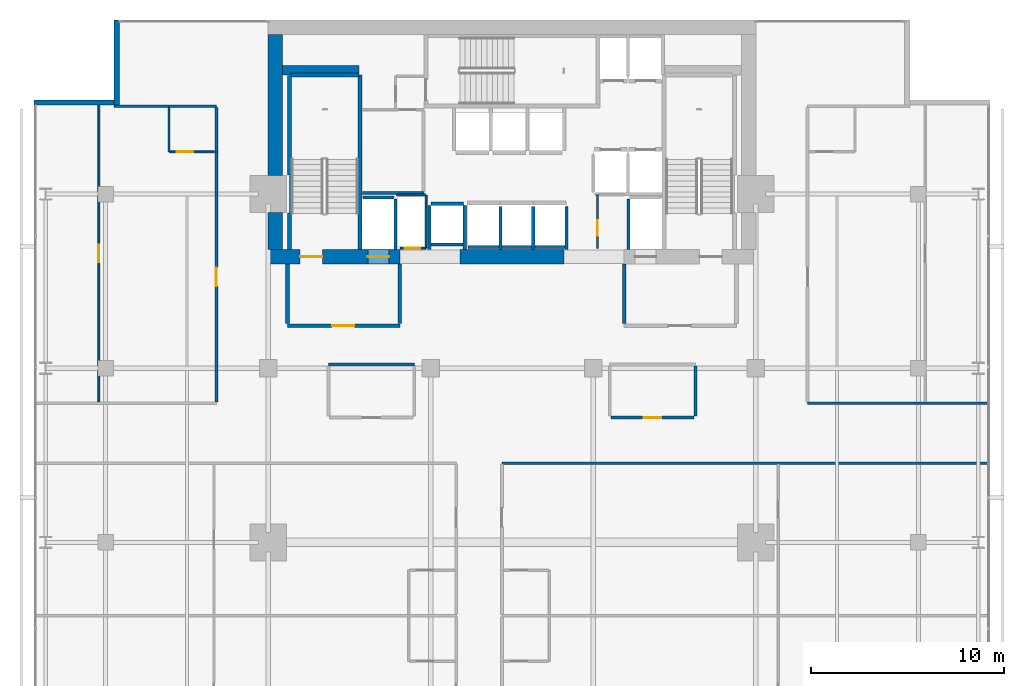
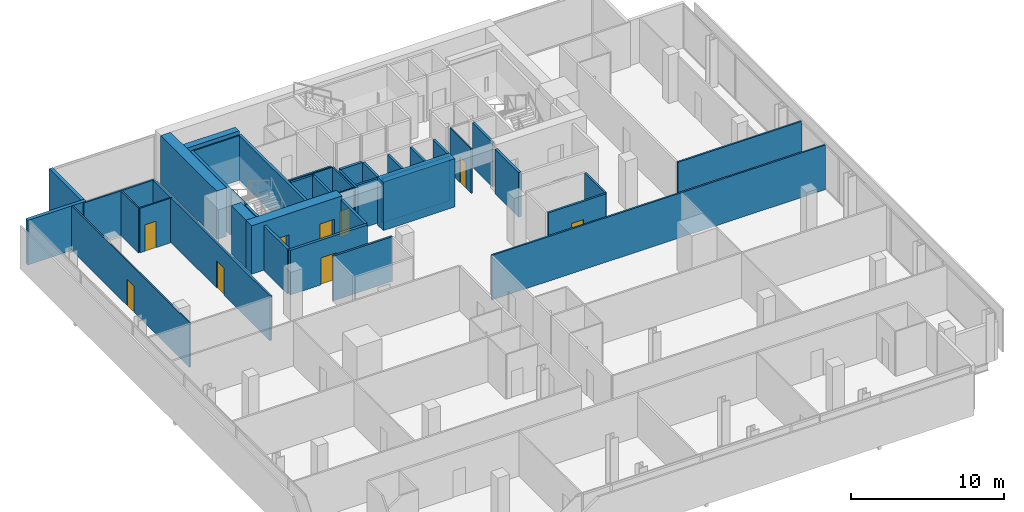
# One storey, part 28 of 32: 43 walls, 9 doors, 9 openings.
"""IFC4 building model written with IfcOpenShell, lengths in metres."""

from ifc_helpers import new_model, si_unit, direction, frame, frame_2d, origin, place, context, subcontext, project, spatial, rectangle, extrude, material, layer, layer_set, type_object, element, fill, save


model = new_model("IFC4")

# Units and contexts
model_context = context("Model", 3, precision=1e-05, world=origin(), true_north=direction((0.0, 1.0)))
body_context = subcontext(model_context, "Body", "Model", "MODEL_VIEW")
ifc_project = project(units=[si_unit("LENGTHUNIT", "METRE"), si_unit("AREAUNIT", "SQUARE_METRE"), si_unit("VOLUMEUNIT", "CUBIC_METRE"), si_unit("PLANEANGLEUNIT", "RADIAN"), si_unit("MASSUNIT", "GRAM", prefix="KILO")], contexts=[model_context])

# Site, building, storey
site_placement = place(None, origin())
site = spatial("IfcSite", under=ifc_project, at=site_placement, CompositionType="ELEMENT")
building_placement = place(site_placement, origin())
building = spatial("IfcBuilding", under=site, at=building_placement, Name="Maruvema Waterfront Hotel and Observation Tower", CompositionType="ELEMENT")
storey_placement = place(building_placement, frame((0.0, 0.0, 223.64990234375)))
storey = spatial("IfcBuildingStorey", under=building, at=storey_placement, Name="L55", CompositionType="ELEMENT", Elevation=223.64990234375)

# Walls
ifc_material_1 = material(Name="Twin-stud acoustic gypsum drywall", Category="gypsum")
ifc_layer_1 = layer(ifc_material_1, 0.14990234375, Name="Acoustic Corridor and Suite Demising Wall 150 mm")
ifc_layer_set_1 = layer_set([ifc_layer_1], Name="Twin-stud acoustic gypsum drywall")
wall_type_1 = type_object("IfcWallType", Name="Acoustic Corridor and Suite Demising Wall 150 mm", PredefinedType="PARTITIONING", material=ifc_layer_set_1)
wall_1_placement = place(storey_placement, frame((30.06005859375, 45.06005859375, 0.0), z_axis=(0.0, 0.0, 1.0), x_axis=(1.0, 0.0, 0.0)))
element("IfcWall", 1, at=wall_1_placement, inside=storey, type_object=wall_type_1, Name="L55 Freed B1 South Wall 012", PredefinedType="PARTITIONING", context=body_context, shape_type="SweptSolid", body=[
    extrude(rectangle(XDim=3.179931640625, YDim=0.14990234375, at=frame_2d((1.58984375, 0.0))), origin(), (0.0, 0.0, 1.0), 3.550048828125),
])
wall_2_placement = place(storey_placement, frame((28.320068359375, 36.199951171875, 0.0), z_axis=(0.0, 0.0, 1.0), x_axis=(1.0, 0.0, 0.0)))
element("IfcWall", 2, at=wall_2_placement, inside=storey, type_object=wall_type_1, Name="L55 L55-M1 Back Wall 017", PredefinedType="PARTITIONING", context=body_context, shape_type="SweptSolid", body=[
    extrude(rectangle(XDim=4.429931640625, YDim=0.14990234375, at=frame_2d((2.21484375, 0.0))), origin(), (0.0, 0.0, 1.0), 3.550048828125),
])
wall_3_placement = place(storey_placement, frame((47.280029296875, 33.530029296875, 0.0), z_axis=(0.0, 0.0, 1.0), x_axis=(0.0, 1.0, 0.0)))
element("IfcWall", 3, at=wall_3_placement, inside=storey, type_object=wall_type_1, Name="L55 L55-M2 East Wall 023", PredefinedType="PARTITIONING", context=body_context, shape_type="SweptSolid", body=[
    extrude(rectangle(XDim=2.590087890625, YDim=0.14990234375, at=frame_2d((1.294921875, 0.0))), origin(), (0.0, 0.0, 1.0), 3.550048828125),
])

# Wall, opening, door
wall_4_placement = place(storey_placement, frame((42.909912109375, 33.449951171875, 0.0), z_axis=(0.0, 0.0, 1.0), x_axis=(1.0, 0.0, 0.0)))
wall_4 = element("IfcWall", 4, at=wall_4_placement, inside=storey, type_object=wall_type_1, Name="L55 L55-M2 Front 1 024", PredefinedType="PARTITIONING", context=body_context, shape_type="SweptSolid", body=[
    extrude(rectangle(XDim=4.31005859375, YDim=0.14990234375, at=frame_2d((2.155029296875, 0.0))), origin(), (0.0, 0.0, 1.0), 3.550048828125),
])
opening_1_placement = place(wall_4_placement, frame((1.705078125, 0.0, 0.0)))
opening_1 = element("IfcOpeningElement", 5, at=opening_1_placement, cuts=wall_4, Name="Opening DR-090", PredefinedType="OPENING", context=body_context, shape_type="SweptSolid", body=[
    extrude(rectangle(XDim=0.89990234375, YDim=2.10009765625, at=frame_2d((0.449951171875, 1.050048828125))), frame((0.0, 0.0849609375, 0.0), z_axis=(0.0, -1.0, 0.0), x_axis=(1.0, 0.0, 0.0)), (0.0, 0.0, 1.0), 0.169921875),
])
ifc_material_2 = material(Name="Solid-core lacquered timber leaf", Category="wood")
door_type_1 = type_object("IfcDoorType", Name="Accessible Toilet and Room Door 900x2100 mm", OperationType="NOTDEFINED", PredefinedType="DOOR", material=ifc_material_2)
door_1_placement = place(opening_1_placement, frame((0.89990234375, 0.0, 0.0), z_axis=(0.0, 0.0, 1.0), x_axis=(-1.0, 0.0, 0.0)))
door_1 = element("IfcDoor", 6, at=door_1_placement, inside=storey, type_object=door_type_1, Name="L55 Ambassador Lounge 3 Door", OperationType="SINGLE_SWING_LEFT", OverallHeight=2.10009765625, OverallWidth=0.89990234375, PredefinedType="DOOR", context=body_context, shape_type="SweptSolid", body=[
    extrude(rectangle(XDim=0.89990234375, YDim=2.10009765625, at=frame_2d((0.449951171875, 1.050048828125))), frame((0.0, 0.02490234375, 0.0), z_axis=(0.0, -1.0, 0.0), x_axis=(1.0, 0.0, 0.0)), (0.0, 0.0, 1.0), 0.050048828125),
])
fill(opening_1, door_1)

wall_5_placement = place(storey_placement, frame((22.52001953125, 34.260009765625, 0.0), z_axis=(0.0, 0.0, 1.0), x_axis=(0.0, 1.0, 0.0)))
wall_5 = element("IfcWall", 7, at=wall_5_placement, inside=storey, type_object=wall_type_1, Name="L55 Room L55-NW1 Corridor Wall 070", PredefinedType="PARTITIONING", context=body_context, shape_type="SweptSolid", body=[
    extrude(rectangle(XDim=12.927490234375, YDim=0.14990234375, at=frame_2d((6.4638671875, 0.0))), origin(), (0.0, 0.0, 1.0), 3.550048828125),
])
opening_2_placement = place(wall_5_placement, frame((5.98876953125, 0.0, 0.0)))
opening_2 = element("IfcOpeningElement", 8, at=opening_2_placement, cuts=wall_5, Name="Opening DR-095", PredefinedType="OPENING", context=body_context, shape_type="SweptSolid", body=[
    extrude(rectangle(XDim=0.949951171875, YDim=2.14990234375, at=frame_2d((0.47509765625, 1.074951171875))), frame((0.0, 0.0849609375, 0.0), z_axis=(0.0, -1.0, 0.0), x_axis=(1.0, 0.0, 0.0)), (0.0, 0.0, 1.0), 0.169921875),
])
ifc_material_3 = material(Name="Acoustic solid-core hardwood timber leaf", Category="wood")
door_type_2 = type_object("IfcDoorType", Name="Guestroom Entrance Fire Door 950x2150 mm", OperationType="NOTDEFINED", PredefinedType="DOOR", material=ifc_material_3)
door_2_placement = place(opening_2_placement, origin())
door_2 = element("IfcDoor", 9, at=door_2_placement, inside=storey, type_object=door_type_2, Name="L55 Room L55-NW1 Entrance Door", OperationType="SINGLE_SWING_LEFT", OverallHeight=2.14990234375, OverallWidth=0.949951171875, PredefinedType="DOOR", context=body_context, shape_type="SweptSolid", body=[
    extrude(rectangle(XDim=0.949951171875, YDim=2.14990234375, at=frame_2d((0.47509765625, 1.074951171875))), frame((0.0, 0.02490234375, 0.0), z_axis=(0.0, -1.0, 0.0), x_axis=(1.0, 0.0, 0.0)), (0.0, 0.0, 1.0), 0.050048828125),
])
fill(opening_2, door_2)

# Walls
wall_6_placement = place(storey_placement, frame((22.52001953125, 47.1875, 0.0), z_axis=(0.0, 0.0, 1.0), x_axis=(0.0, 1.0, 0.0)))
element("IfcWall", 10, at=wall_6_placement, inside=storey, type_object=wall_type_1, Name="L55 Bath L55-NW1 Wall 071", PredefinedType="PARTITIONING", context=body_context, shape_type="SweptSolid", body=[
    extrude(rectangle(XDim=2.2900390625, YDim=0.14990234375, at=frame_2d((1.14501953125, 0.0))), origin(), (0.0, 0.0, 1.0), 3.550048828125),
])
ifc_material_4 = material(Name="Precast concrete C45/55", Category="concrete")
ifc_layer_2 = layer(ifc_material_4, 0.199951171875, Name="Core Shaft and Stairwell Enclosure Wall 200 mm")
ifc_layer_set_2 = layer_set([ifc_layer_2], Name="Precast concrete C45/55")
wall_type_2 = type_object("IfcWallType", Name="Core Shaft and Stairwell Enclosure Wall 200 mm", PredefinedType="SOLIDWALL", material=ifc_layer_set_2)
wall_7_placement = place(storey_placement, frame((29.949951171875, 42.14990234375, 0.0), z_axis=(0.0, 0.0, 1.0), x_axis=(0.0, 1.0, 0.0)))
element("IfcWall", 11, at=wall_7_placement, inside=storey, type_object=wall_type_2, Name="L55 Stairwell ST-01 East Shaft Wall", PredefinedType="SOLIDWALL", context=body_context, shape_type="SweptSolid", body=[
    extrude(rectangle(XDim=9.0, YDim=0.199951171875, at=frame_2d((4.5, 0.0))), origin(), (0.0, 0.0, 1.0), 3.550048828125),
])
wall_8_placement = place(storey_placement, frame((26.300048828125, 42.14990234375, 0.0), z_axis=(0.0, 0.0, 1.0), x_axis=(0.0, 1.0, 0.0)))
element("IfcWall", 12, at=wall_8_placement, inside=storey, type_object=wall_type_2, Name="L55 Stairwell ST-01 Shaft Lining Wall", PredefinedType="SOLIDWALL", context=body_context, shape_type="SweptSolid", body=[
    extrude(rectangle(XDim=1.8701171875, YDim=0.199951171875, at=frame_2d((0.93505859375, 0.0))), origin(), (0.0, 0.0, 1.0), 3.550048828125),
])
wall_9_placement = place(storey_placement, frame((26.300048828125, 45.97998046875, 0.0), z_axis=(0.0, 0.0, 1.0), x_axis=(0.0, 1.0, 0.0)))
element("IfcWall", 13, at=wall_9_placement, inside=storey, type_object=wall_type_2, Name="L55 Stairwell ST-01 Shaft Lining Wall", PredefinedType="SOLIDWALL", context=body_context, shape_type="SweptSolid", body=[
    extrude(rectangle(XDim=5.14013671875, YDim=0.199951171875, at=frame_2d((2.570068359375, 0.0))), origin(), (0.0, 0.0, 1.0), 3.550048828125),
])
wall_10_placement = place(storey_placement, frame((26.3798828125, 51.14990234375, 0.0), z_axis=(0.0, 0.0, 1.0), x_axis=(1.0, 0.0, 0.0)))
element("IfcWall", 14, at=wall_10_placement, inside=storey, type_object=wall_type_2, Name="L55 Stairwell ST-01 Shaft Lining Wall", PredefinedType="SOLIDWALL", context=body_context, shape_type="SweptSolid", body=[
    extrude(rectangle(XDim=3.5, YDim=0.199951171875, at=frame_2d((1.75, 0.0))), origin(), (0.0, 0.0, 1.0), 3.550048828125),
])
wall_11_placement = place(storey_placement, frame((33.610107421875, 44.5, 0.0), z_axis=(0.0, 0.0, 1.0), x_axis=(1.0, 0.0, 0.0)))
element("IfcWall", 15, at=wall_11_placement, inside=storey, type_object=wall_type_2, Name="L55 Lift LF-15 Hoistway Front Wall", PredefinedType="SOLIDWALL", context=body_context, shape_type="SweptSolid", body=[
    extrude(rectangle(XDim=1.679931640625, YDim=0.199951171875, at=frame_2d((0.83984375, 0.0))), origin(), (0.0, 0.0, 1.0), 3.550048828125),
])
ifc_material_5 = material(Name="Concrete C70/85", Category="concrete")
ifc_layer_3 = layer(ifc_material_5, 0.5, Name="Core Shear Wall 500 mm")
ifc_layer_set_3 = layer_set([ifc_layer_3], Name="Concrete C70/85")
wall_type_3 = type_object("IfcWallType", Name="Core Shear Wall 500 mm", PredefinedType="SHEAR", material=ifc_layer_set_3)
wall_12_placement = place(storey_placement, frame((25.949951171875, 51.39990234375, 0.0), z_axis=(0.0, 0.0, 1.0), x_axis=(1.0, 0.0, 0.0)))
element("IfcWall", 16, at=wall_12_placement, inside=storey, type_object=wall_type_3, Name="L55 Internal Core Shear Wall NW 500 mm", PredefinedType="SHEAR", context=body_context, shape_type="SweptSolid", body=[
    extrude(rectangle(XDim=3.949951171875, YDim=0.5, at=frame_2d((1.97509765625, 0.0))), origin(), (0.0, 0.0, 1.0), 3.85009765625),
])

# Wall, openings, doors
ifc_material_6 = material(Name="Concrete C70/85", Category="concrete")
ifc_layer_4 = layer(ifc_material_6, 0.75, Name="Core Shear Wall 750 mm")
ifc_layer_set_4 = layer_set([ifc_layer_4], Name="Concrete C70/85")
wall_type_4 = type_object("IfcWallType", Name="Core Shear Wall 750 mm", PredefinedType="SHEAR", material=ifc_layer_set_4)
wall_13_placement = place(storey_placement, frame((25.199951171875, 41.77490234375, 0.0), z_axis=(0.0, 0.0, 1.0), x_axis=(1.0, 0.0, 0.0)))
wall_13 = element("IfcWall", 17, at=wall_13_placement, inside=storey, type_object=wall_type_4, Name="L55 South-West Core Shear Wall", PredefinedType="SHEAR", context=body_context, shape_type="SweptSolid", body=[
    extrude(rectangle(XDim=6.800048828125, YDim=0.75, at=frame_2d((3.39990234375, 0.0))), origin(), (0.0, 0.0, 1.0), 3.85009765625),
])
opening_3_placement = place(wall_13_placement, frame((1.64990234375, 0.0, 0.0)))
opening_3 = element("IfcOpeningElement", 18, at=opening_3_placement, cuts=wall_13, Name="Opening SD-01", PredefinedType="OPENING", context=body_context, shape_type="SweptSolid", body=[
    extrude(rectangle(XDim=1.14990234375, YDim=2.14990234375, at=frame_2d((0.574951171875, 1.074951171875))), frame((0.0, 0.385009765625, 0.0), z_axis=(0.0, -1.0, 0.0), x_axis=(1.0, 0.0, 0.0)), (0.0, 0.0, 1.0), 0.77001953125),
])
opening_4_placement = place(wall_13_placement, frame((5.14990234375, 0.0, 0.0)))
opening_4 = element("IfcOpeningElement", 19, at=opening_4_placement, cuts=wall_13, Name="Opening LD-03", PredefinedType="OPENING", context=body_context, shape_type="SweptSolid", body=[
    extrude(rectangle(XDim=1.10009765625, YDim=2.199951171875, at=frame_2d((0.550048828125, 1.10009765625))), frame((0.0, 0.385009765625, 0.0), z_axis=(0.0, -1.0, 0.0), x_axis=(1.0, 0.0, 0.0)), (0.0, 0.0, 1.0), 0.77001953125),
])
ifc_material_7 = material(Name="Fire-rated galvanised steel leaf", Category="steel")
door_type_3 = type_object("IfcDoorType", Name="Exit Stair Fire Door 1150x2150 mm", OperationType="NOTDEFINED", PredefinedType="DOOR", material=ifc_material_7)
door_3_placement = place(opening_3_placement, origin())
door_3 = element("IfcDoor", 20, at=door_3_placement, inside=storey, type_object=door_type_3, Name="L55 Exit Stair ST-01 Fire Door", OperationType="SINGLE_SWING_LEFT", OverallHeight=2.14990234375, OverallWidth=1.14990234375, PredefinedType="DOOR", context=body_context, shape_type="SweptSolid", body=[
    extrude(rectangle(XDim=1.14990234375, YDim=2.14990234375, at=frame_2d((0.574951171875, 1.074951171875))), frame((0.0, 0.02490234375, 0.0), z_axis=(0.0, -1.0, 0.0), x_axis=(1.0, 0.0, 0.0)), (0.0, 0.0, 1.0), 0.050048828125),
])
fill(opening_3, door_3)
ifc_material_8 = material(Name="Brushed stainless steel Grade 316", Category="steel")
door_type_4 = type_object("IfcDoorType", Name="Firefighting Lift Sliding Landing Door 1100x2200 mm", OperationType="SLIDING_TO_LEFT", PredefinedType="DOOR", material=ifc_material_8)
door_4_placement = place(opening_4_placement, frame((1.10009765625, 0.0, 0.0), z_axis=(0.0, 0.0, 1.0), x_axis=(-1.0, 0.0, 0.0)))
door_4 = element("IfcDoor", 21, at=door_4_placement, inside=storey, type_object=door_type_4, Name="L55 Firefighting Lift FL-01 Landing Door", OperationType="SLIDING_TO_LEFT", OverallHeight=2.199951171875, OverallWidth=1.10009765625, PredefinedType="DOOR", context=body_context, shape_type="SweptSolid", body=[
    extrude(rectangle(XDim=1.10009765625, YDim=2.199951171875, at=frame_2d((0.550048828125, 1.10009765625))), frame((0.0, 0.02490234375, 0.0), z_axis=(0.0, -1.0, 0.0), x_axis=(1.0, 0.0, 0.0)), (0.0, 0.0, 1.0), 0.050048828125),
])
fill(opening_4, door_4)

# Walls
wall_14_placement = place(storey_placement, frame((35.10009765625, 41.77490234375, 0.0), z_axis=(0.0, 0.0, 1.0), x_axis=(1.0, 0.0, 0.0)))
element("IfcWall", 22, at=wall_14_placement, inside=storey, type_object=wall_type_4, Name="L55 South-Central Core Shear Wall", PredefinedType="SHEAR", context=body_context, shape_type="SweptSolid", body=[
    extrude(rectangle(XDim=5.39990234375, YDim=0.75, at=frame_2d((2.699951171875, 0.0))), origin(), (0.0, 0.0, 1.0), 3.85009765625),
])
wall_15_placement = place(storey_placement, frame((25.574951171875, 42.14990234375, 0.0), z_axis=(0.0, 0.0, 1.0), x_axis=(0.0, 1.0, 0.0)))
element("IfcWall", 23, at=wall_15_placement, inside=storey, type_object=wall_type_4, Name="L55 West-South Core Shear Wall", PredefinedType="SHEAR", context=body_context, shape_type="SweptSolid", body=[
    extrude(rectangle(XDim=1.900146484375, YDim=0.75, at=frame_2d((0.9501953125, 0.0))), origin(), (0.0, 0.0, 1.0), 3.85009765625),
])
wall_16_placement = place(storey_placement, frame((25.574951171875, 45.949951171875, 0.0), z_axis=(0.0, 0.0, 1.0), x_axis=(0.0, 1.0, 0.0)))
element("IfcWall", 24, at=wall_16_placement, inside=storey, type_object=wall_type_4, Name="L55 West-North Core Shear Wall", PredefinedType="SHEAR", context=body_context, shape_type="SweptSolid", body=[
    extrude(rectangle(XDim=7.300048828125, YDim=0.75, at=frame_2d((3.64990234375, 0.0))), origin(), (0.0, 0.0, 1.0), 3.85009765625),
])

# Wall, opening, door
ifc_material_9 = material(Name="Moisture-resistant cement-board drywall", Category="gypsum")
ifc_layer_5 = layer(ifc_material_9, 0.10009765625, Name="En-Suite Moisture-Resistant Partition 100 mm")
ifc_layer_set_5 = layer_set([ifc_layer_5], Name="Moisture-resistant cement-board drywall")
wall_type_5 = type_object("IfcWallType", Name="En-Suite Moisture-Resistant Partition 100 mm", PredefinedType="PARTITIONING", material=ifc_layer_set_5)
wall_17_placement = place(storey_placement, frame((32.02001953125, 42.2099609375, 0.0), z_axis=(0.0, 0.0, 1.0), x_axis=(1.0, 0.0, 0.0)))
wall_17 = element("IfcWall", 25, at=wall_17_placement, inside=storey, type_object=wall_type_5, Name="L55 Telecom Riser South Wall 007", PredefinedType="PARTITIONING", context=body_context, shape_type="SweptSolid", body=[
    extrude(rectangle(XDim=1.320068359375, YDim=0.10009765625, at=frame_2d((0.66015625, 0.0))), origin(), (0.0, 0.0, 1.0), 3.550048828125),
])
opening_5_placement = place(wall_17_placement, frame((0.239990234375, 0.0, 0.0)))
opening_5 = element("IfcOpeningElement", 26, at=opening_5_placement, cuts=wall_17, Name="Opening DR-080", PredefinedType="OPENING", context=body_context, shape_type="SweptSolid", body=[
    extrude(rectangle(XDim=0.800048828125, YDim=2.050048828125, at=frame_2d((0.39990234375, 1.02490234375))), frame((0.0, 0.06005859375, 0.0), z_axis=(0.0, -1.0, 0.0), x_axis=(1.0, 0.0, 0.0)), (0.0, 0.0, 1.0), 0.1201171875),
])
ifc_material_10 = material(Name="Powder-coated steel access leaf", Category="steel")
door_type_5 = type_object("IfcDoorType", Name="Riser and Service Cupboard Door 800x2050 mm", OperationType="NOTDEFINED", PredefinedType="DOOR", material=ifc_material_10)
door_5_placement = place(opening_5_placement, frame((0.800048828125, 0.0, 0.0), z_axis=(0.0, 0.0, 1.0), x_axis=(-1.0, 0.0, 0.0)))
door_5 = element("IfcDoor", 27, at=door_5_placement, inside=storey, type_object=door_type_5, Name="L55 Telecom Riser Door", OperationType="SINGLE_SWING_RIGHT", OverallHeight=2.050048828125, OverallWidth=0.800048828125, PredefinedType="DOOR", context=body_context, shape_type="SweptSolid", body=[
    extrude(rectangle(XDim=0.800048828125, YDim=2.050048828125, at=frame_2d((0.39990234375, 1.02490234375))), frame((0.0, 0.02490234375, 0.0), z_axis=(0.0, -1.0, 0.0), x_axis=(1.0, 0.0, 0.0)), (0.0, 0.0, 1.0), 0.050048828125),
])
fill(opening_5, door_5)

# Walls
wall_18_placement = place(storey_placement, frame((31.840087890625, 44.9599609375, 0.0), z_axis=(0.0, 0.0, 1.0), x_axis=(1.0, 0.0, 0.0)))
element("IfcWall", 28, at=wall_18_placement, inside=storey, type_object=wall_type_5, Name="L55 Telecom Riser North Wall 008", PredefinedType="PARTITIONING", context=body_context, shape_type="SweptSolid", body=[
    extrude(rectangle(XDim=1.47998046875, YDim=0.10009765625, at=frame_2d((0.739990234375, 0.0))), origin(), (0.0, 0.0, 1.0), 3.550048828125),
])
wall_19_placement = place(storey_placement, frame((33.360107421875, 42.2099609375, 0.0), z_axis=(0.0, 0.0, 1.0), x_axis=(0.0, 1.0, 0.0)))
element("IfcWall", 29, at=wall_19_placement, inside=storey, type_object=wall_type_5, Name="L55 Telecom Riser East Wall 009", PredefinedType="PARTITIONING", context=body_context, shape_type="SweptSolid", body=[
    extrude(rectangle(XDim=2.72998046875, YDim=0.10009765625, at=frame_2d((1.364990234375, 0.0))), origin(), (0.0, 0.0, 1.0), 3.550048828125),
])

# Wall, opening, door
wall_20_placement = place(storey_placement, frame((42.219970703125, 42.199951171875, 0.0), z_axis=(0.0, 0.0, 1.0), x_axis=(0.0, 1.0, 0.0)))
wall_20 = element("IfcWall", 30, at=wall_20_placement, inside=storey, type_object=wall_type_5, Name="L55 Core Closet K1 West 010", PredefinedType="PARTITIONING", context=body_context, shape_type="SweptSolid", body=[
    extrude(rectangle(XDim=2.760009765625, YDim=0.10009765625, at=frame_2d((1.3798828125, 0.0))), origin(), (0.0, 0.0, 1.0), 3.550048828125),
])
opening_6_placement = place(wall_20_placement, frame((0.64990234375, 0.0, 0.0)))
opening_6 = element("IfcOpeningElement", 31, at=opening_6_placement, cuts=wall_20, Name="Opening DR-080", PredefinedType="OPENING", context=body_context, shape_type="SweptSolid", body=[
    extrude(rectangle(XDim=0.800048828125, YDim=2.050048828125, at=frame_2d((0.39990234375, 1.02490234375))), frame((0.0, 0.06005859375, 0.0), z_axis=(0.0, -1.0, 0.0), x_axis=(1.0, 0.0, 0.0)), (0.0, 0.0, 1.0), 0.1201171875),
])
door_6_placement = place(opening_6_placement, frame((0.800048828125, 0.0, 0.0), z_axis=(0.0, 0.0, 1.0), x_axis=(-1.0, 0.0, 0.0)))
door_6 = element("IfcDoor", 32, at=door_6_placement, inside=storey, type_object=door_type_5, Name="L55 Core Cleaning Store Door", OperationType="SINGLE_SWING_LEFT", OverallHeight=2.050048828125, OverallWidth=0.800048828125, PredefinedType="DOOR", context=body_context, shape_type="SweptSolid", body=[
    extrude(rectangle(XDim=0.800048828125, YDim=2.050048828125, at=frame_2d((0.39990234375, 1.02490234375))), frame((0.0, 0.02490234375, 0.0), z_axis=(0.0, -1.0, 0.0), x_axis=(1.0, 0.0, 0.0)), (0.0, 0.0, 1.0), 0.050048828125),
])
fill(opening_6, door_6)

# Wall
wall_21_placement = place(storey_placement, frame((20.070068359375, 47.1875, 0.0), z_axis=(0.0, 0.0, 1.0), x_axis=(0.0, 1.0, 0.0)))
element("IfcWall", 33, at=wall_21_placement, inside=storey, type_object=wall_type_5, Name="L55 En-Suite L55-NW1 W 072", PredefinedType="PARTITIONING", context=body_context, shape_type="SweptSolid", body=[
    extrude(rectangle(XDim=2.2900390625, YDim=0.10009765625, at=frame_2d((1.14501953125, 0.0))), origin(), (0.0, 0.0, 1.0), 3.550048828125),
])

# Wall, opening, door
wall_22_placement = place(storey_placement, frame((20.1201171875, 47.1875, 0.0), z_axis=(0.0, 0.0, 1.0), x_axis=(1.0, 0.0, 0.0)))
wall_22 = element("IfcWall", 34, at=wall_22_placement, inside=storey, type_object=wall_type_5, Name="L55 En-Suite L55-NW1 S 073", PredefinedType="PARTITIONING", context=body_context, shape_type="SweptSolid", body=[
    extrude(rectangle(XDim=2.2998046875, YDim=0.10009765625, at=frame_2d((1.14990234375, 0.0))), origin(), (0.0, 0.0, 1.0), 3.550048828125),
])
opening_7_placement = place(wall_22_placement, frame((0.35009765625, 0.0, 0.0)))
opening_7 = element("IfcOpeningElement", 35, at=opening_7_placement, cuts=wall_22, Name="Opening DR-085", PredefinedType="OPENING", context=body_context, shape_type="SweptSolid", body=[
    extrude(rectangle(XDim=0.85009765625, YDim=2.10009765625, at=frame_2d((0.425048828125, 1.050048828125))), frame((0.0, 0.06005859375, 0.0), z_axis=(0.0, -1.0, 0.0), x_axis=(1.0, 0.0, 0.0)), (0.0, 0.0, 1.0), 0.1201171875),
])
ifc_material_11 = material(Name="Moisture-resistant solid timber leaf", Category="wood")
door_type_6 = type_object("IfcDoorType", Name="En-Suite Bathroom Door 850x2100 mm", OperationType="NOTDEFINED", PredefinedType="DOOR", material=ifc_material_11)
door_7_placement = place(opening_7_placement, frame((0.85009765625, 0.0, 0.0), z_axis=(0.0, 0.0, 1.0), x_axis=(-1.0, 0.0, 0.0)))
door_7 = element("IfcDoor", 36, at=door_7_placement, inside=storey, type_object=door_type_6, Name="L55 En-Suite L55-NW1 Door", OperationType="SINGLE_SWING_RIGHT", OverallHeight=2.10009765625, OverallWidth=0.85009765625, PredefinedType="DOOR", context=body_context, shape_type="SweptSolid", body=[
    extrude(rectangle(XDim=0.85009765625, YDim=2.10009765625, at=frame_2d((0.425048828125, 1.050048828125))), frame((0.0, 0.02490234375, 0.0), z_axis=(0.0, -1.0, 0.0), x_axis=(1.0, 0.0, 0.0)), (0.0, 0.0, 1.0), 0.050048828125),
])
fill(opening_7, door_7)

wall_23_placement = place(storey_placement, frame((16.445556640625, 34.260009765625, 0.0), z_axis=(0.0, 0.0, 1.0), x_axis=(0.0, 1.0, 0.0)))
wall_23 = element("IfcWall", 37, at=wall_23_placement, inside=storey, type_object=wall_type_5, Name="L55 Suite L55-NW1 Split 074", PredefinedType="PARTITIONING", context=body_context, shape_type="SweptSolid", body=[
    extrude(rectangle(XDim=15.33740234375, YDim=0.10009765625, at=frame_2d((7.668701171875, 0.0))), origin(), (0.0, 0.0, 1.0), 3.550048828125),
])
opening_8_placement = place(wall_23_placement, frame((7.21875, 0.0, 0.0)))
opening_8 = element("IfcOpeningElement", 38, at=opening_8_placement, cuts=wall_23, Name="Opening DR-090", PredefinedType="OPENING", context=body_context, shape_type="SweptSolid", body=[
    extrude(rectangle(XDim=0.89990234375, YDim=2.10009765625, at=frame_2d((0.449951171875, 1.050048828125))), frame((0.0, 0.06005859375, 0.0), z_axis=(0.0, -1.0, 0.0), x_axis=(1.0, 0.0, 0.0)), (0.0, 0.0, 1.0), 0.1201171875),
])
door_8_placement = place(opening_8_placement, origin())
door_8 = element("IfcDoor", 39, at=door_8_placement, inside=storey, type_object=door_type_1, Name="L55 Suite L55-NW1 Bedroom Door", OperationType="SINGLE_SWING_RIGHT", OverallHeight=2.10009765625, OverallWidth=0.89990234375, PredefinedType="DOOR", context=body_context, shape_type="SweptSolid", body=[
    extrude(rectangle(XDim=0.89990234375, YDim=2.10009765625, at=frame_2d((0.449951171875, 1.050048828125))), frame((0.0, 0.02490234375, 0.0), z_axis=(0.0, -1.0, 0.0), x_axis=(1.0, 0.0, 0.0)), (0.0, 0.0, 1.0), 0.050048828125),
])
fill(opening_8, door_8)

# Walls
ifc_material_12 = material(Name="Precast concrete C45/55 with honed Pernambuco granite facing", Category="masonry")
ifc_layer_6 = layer(ifc_material_12, 0.260009765625, Name="Exterior Granite Clad Spandrel and Pier Wall 260 mm")
ifc_layer_set_6 = layer_set([ifc_layer_6], Name="Precast concrete C45/55 with honed Pernambuco granite facing")
wall_type_6 = type_object("IfcWallType", Name="Exterior Granite Clad Spandrel and Pier Wall 260 mm", PredefinedType="SOLIDWALL", material=ifc_layer_set_6)
for number, where, z_axis, x_axis, name in (
    (40, (17.3701171875, 49.60009765625, 0.0), (0.0, 0.0, 1.0), (0.0, 1.0, 0.0), "L55 Corner Notch Granite Pier Wall NW1"),
    (41, (13.10009765625, 49.72998046875, 0.0), (0.0, 0.0, 1.0), (1.0, 0.0, 0.0), "L55 Corner Notch Granite Pier Wall NW2"),
):
    element("IfcWall", number, at=place(storey_placement, frame(where, z_axis=z_axis, x_axis=x_axis)), inside=storey, type_object=wall_type_6, Name=name, PredefinedType="SOLIDWALL", context=body_context, shape_type="SweptSolid", body=[
        extrude(rectangle(XDim=4.39990234375, YDim=0.260009765625, at=frame_2d((2.199951171875, 0.0))), origin(), (0.0, 0.0, 1.0), 3.550048828125),
    ])

# Wall, opening, door
ifc_material_13 = material(Name="Autoclaved cellular concrete blockwork", Category="masonry")
ifc_layer_7 = layer(ifc_material_13, 0.199951171875, Name="Fire Compartment Masonry Wall 200 mm")
ifc_layer_set_7 = layer_set([ifc_layer_7], Name="Autoclaved cellular concrete blockwork")
wall_type_7 = type_object("IfcWallType", Name="Fire Compartment Masonry Wall 200 mm", PredefinedType="PARTITIONING", material=ifc_layer_set_7)
wall_24_placement = place(storey_placement, frame((26.199951171875, 38.199951171875, 0.0), z_axis=(0.0, 0.0, 1.0), x_axis=(1.0, 0.0, 0.0)))
wall_24 = element("IfcWall", 42, at=wall_24_placement, inside=storey, type_object=wall_type_7, Name="L55 FFL West South Wall 001", PredefinedType="PARTITIONING", context=body_context, shape_type="SweptSolid", body=[
    extrude(rectangle(XDim=5.800048828125, YDim=0.199951171875, at=frame_2d((2.89990234375, 0.0))), origin(), (0.0, 0.0, 1.0), 3.550048828125),
])
opening_9_placement = place(wall_24_placement, frame((2.300048828125, 0.0, 0.0)))
opening_9 = element("IfcOpeningElement", 43, at=opening_9_placement, cuts=wall_24, Name="Opening FD-115", PredefinedType="OPENING", context=body_context, shape_type="SweptSolid", body=[
    extrude(rectangle(XDim=1.14990234375, YDim=2.14990234375, at=frame_2d((0.574951171875, 1.074951171875))), frame((0.0, 0.10986328125, 0.0), z_axis=(0.0, -1.0, 0.0), x_axis=(1.0, 0.0, 0.0)), (0.0, 0.0, 1.0), 0.219970703125),
])
ifc_material_14 = material(Name="Fire-rated galvanised steel and vision glass", Category="steel")
door_type_7 = type_object("IfcDoorType", Name="Firefighting Lobby Fire Door 1150x2150 mm", OperationType="NOTDEFINED", PredefinedType="DOOR", material=ifc_material_14)
door_9_placement = place(opening_9_placement, frame((1.14990234375, 0.0, 0.0), z_axis=(0.0, 0.0, 1.0), x_axis=(-1.0, 0.0, 0.0)))
door_9 = element("IfcDoor", 44, at=door_9_placement, inside=storey, type_object=door_type_7, Name="L55 Firefighting Lobby West Door", OperationType="SINGLE_SWING_RIGHT", OverallHeight=2.14990234375, OverallWidth=1.14990234375, PredefinedType="DOOR", context=body_context, shape_type="SweptSolid", body=[
    extrude(rectangle(XDim=1.14990234375, YDim=2.14990234375, at=frame_2d((0.574951171875, 1.074951171875))), frame((0.0, 0.02490234375, 0.0), z_axis=(0.0, -1.0, 0.0), x_axis=(1.0, 0.0, 0.0)), (0.0, 0.0, 1.0), 0.050048828125),
])
fill(opening_9, door_9)

# Walls
for number, where, z_axis, x_axis, name in (
    (45, (26.199951171875, 38.31005859375, 0.0), (0.0, 0.0, 1.0), (0.0, 1.0, 0.0), "L55 FFL West West Wall 002"),
    (46, (32.0, 38.31005859375, 0.0), (0.0, 0.0, 1.0), (0.0, 1.0, 0.0), "L55 FFL West East Wall 003"),
    (47, (43.60009765625, 38.31005859375, 0.0), (0.0, 0.0, 1.0), (0.0, 1.0, 0.0), "L55 FFL East West Wall 005"),
):
    element("IfcWall", number, at=place(storey_placement, frame(where, z_axis=z_axis, x_axis=x_axis)), inside=storey, type_object=wall_type_7, Name=name, PredefinedType="PARTITIONING", context=body_context, shape_type="SweptSolid", body=[
        extrude(rectangle(XDim=3.06982421875, YDim=0.199951171875, at=frame_2d((1.534912109375, 0.0))), origin(), (0.0, 0.0, 1.0), 3.550048828125),
    ])
ifc_material_15 = material(Name="Acoustic gypsum plasterboard drywall", Category="gypsum")
ifc_layer_8 = layer(ifc_material_15, 0.125, Name="Guestroom Acoustic Demising Wall 125 mm")
ifc_layer_set_8 = layer_set([ifc_layer_8], Name="Acoustic gypsum plasterboard drywall")
wall_type_8 = type_object("IfcWallType", Name="Guestroom Acoustic Demising Wall 125 mm", PredefinedType="PARTITIONING", material=ifc_layer_set_8)
wall_25_placement = place(storey_placement, frame((37.280029296875, 31.10009765625, 0.0), z_axis=(0.0, 0.0, 1.0), x_axis=(1.0, 0.0, 0.0)))
element("IfcWall", 48, at=wall_25_placement, inside=storey, type_object=wall_type_8, Name="L55 Z2 E Top End 043", PredefinedType="PARTITIONING", context=body_context, shape_type="SweptSolid", body=[
    extrude(rectangle(XDim=25.119873046875, YDim=0.125, at=frame_2d((12.56005859375, 0.0))), origin(), (0.0, 0.0, 1.0), 3.550048828125),
])
wall_26_placement = place(storey_placement, frame((53.080078125, 34.199951171875, 0.0), z_axis=(0.0, 0.0, 1.0), x_axis=(1.0, 0.0, 0.0)))
element("IfcWall", 49, at=wall_26_placement, inside=storey, type_object=wall_type_8, Name="L55 Z2 NE Bot End 067", PredefinedType="PARTITIONING", context=body_context, shape_type="SweptSolid", body=[
    extrude(rectangle(XDim=9.31982421875, YDim=0.125, at=frame_2d((4.659912109375, 0.0))), origin(), (0.0, 0.0, 1.0), 3.550048828125),
])
wall_27_placement = place(storey_placement, frame((17.239990234375, 49.53759765625, 0.0), z_axis=(0.0, 0.0, 1.0), x_axis=(1.0, 0.0, 0.0)))
element("IfcWall", 50, at=wall_27_placement, inside=storey, type_object=wall_type_8, Name="L55 Z2 NW Top End 068", PredefinedType="PARTITIONING", context=body_context, shape_type="SweptSolid", body=[
    extrude(rectangle(XDim=5.280029296875, YDim=0.125, at=frame_2d((2.64013671875, 0.0))), origin(), (0.0, 0.0, 1.0), 3.550048828125),
])
ifc_material_16 = material(Name="Precast concrete C45/55", Category="concrete")
ifc_layer_9 = layer(ifc_material_16, 0.159912109375, Name="Lift Hoistway Divider Wall 160 mm")
ifc_layer_set_9 = layer_set([ifc_layer_9], Name="Precast concrete C45/55")
wall_type_9 = type_object("IfcWallType", Name="Lift Hoistway Divider Wall 160 mm", PredefinedType="SOLIDWALL", material=ifc_layer_set_9)
wall_28_placement = place(storey_placement, frame((30.10009765625, 44.830078125, 0.0), z_axis=(0.0, 0.0, 1.0), x_axis=(1.0, 0.0, 0.0)))
element("IfcWall", 51, at=wall_28_placement, inside=storey, type_object=wall_type_9, Name="L55 Lift FL-01 Rear Hoistway Wall", PredefinedType="SOLIDWALL", context=body_context, shape_type="SweptSolid", body=[
    extrude(rectangle(XDim=1.599853515625, YDim=0.159912109375, at=frame_2d((0.7998046875, 0.0))), origin(), (0.0, 0.0, 1.0), 3.550048828125),
])
for number, where, z_axis, x_axis, name in (
    (52, (31.780029296875, 42.14990234375, 0.0), (0.0, 0.0, 1.0), (0.0, 1.0, 0.0), "L55 Lift FL-01 Inner Hoistway Wall"),
    (53, (43.820068359375, 42.14990234375, 0.0), (0.0, 0.0, 1.0), (0.0, 1.0, 0.0), "L55 Lift FL-02 Inner Hoistway Wall"),
):
    element("IfcWall", number, at=place(storey_placement, frame(where, z_axis=z_axis, x_axis=x_axis)), inside=storey, type_object=wall_type_9, Name=name, PredefinedType="SOLIDWALL", context=body_context, shape_type="SweptSolid", body=[
        extrude(rectangle(XDim=2.590087890625, YDim=0.159912109375, at=frame_2d((1.294921875, 0.0))), origin(), (0.0, 0.0, 1.0), 3.550048828125),
    ])
for number, where, z_axis, x_axis, name in (
    (54, (37.199951171875, 42.14990234375, 0.0), (0.0, 0.0, 1.0), (0.0, 1.0, 0.0), "L55 Hoistway Divider Wall"),
    (55, (38.89990234375, 42.14990234375, 0.0), (0.0, 0.0, 1.0), (0.0, 1.0, 0.0), "L55 Hoistway Divider Wall"),
    (56, (40.6201171875, 42.14990234375, 0.0), (0.0, 0.0, 1.0), (0.0, 1.0, 0.0), "L55 Hoistway Divider Wall"),
):
    element("IfcWall", number, at=place(storey_placement, frame(where, z_axis=z_axis, x_axis=x_axis)), inside=storey, type_object=wall_type_9, Name=name, PredefinedType="SOLIDWALL", context=body_context, shape_type="SweptSolid", body=[
        extrude(rectangle(XDim=2.2001953125, YDim=0.159912109375, at=frame_2d((1.10009765625, 0.0))), origin(), (0.0, 0.0, 1.0), 3.550048828125),
    ])
wall_29_placement = place(storey_placement, frame((35.52001953125, 42.260009765625, 0.0), z_axis=(0.0, 0.0, 1.0), x_axis=(1.0, 0.0, 0.0)))
element("IfcWall", 57, at=wall_29_placement, inside=storey, type_object=wall_type_9, Name="L55 Hoistway Divider Wall", PredefinedType="SOLIDWALL", context=body_context, shape_type="SweptSolid", body=[
    extrude(rectangle(XDim=5.02001953125, YDim=0.159912109375, at=frame_2d((2.510009765625, 0.0))), origin(), (0.0, 0.0, 1.0), 3.550048828125),
])
for number, where, z_axis, x_axis, name in (
    (58, (33.5400390625, 42.14990234375, 0.0), (0.0, 0.0, 1.0), (0.0, 1.0, 0.0), "L55 Hoistway Divider Wall"),
    (59, (35.360107421875, 42.14990234375, 0.0), (0.0, 0.0, 1.0), (0.0, 1.0, 0.0), "L55 Hoistway Divider Wall"),
):
    element("IfcWall", number, at=place(storey_placement, frame(where, z_axis=z_axis, x_axis=x_axis)), inside=storey, type_object=wall_type_9, Name=name, PredefinedType="SOLIDWALL", context=body_context, shape_type="SweptSolid", body=[
        extrude(rectangle(XDim=2.25, YDim=0.159912109375, at=frame_2d((1.125, 0.0))), origin(), (0.0, 0.0, 1.0), 3.550048828125),
    ])
wall_30_placement = place(storey_placement, frame((33.6201171875, 42.39990234375, 0.0), z_axis=(0.0, 0.0, 1.0), x_axis=(1.0, 0.0, 0.0)))
element("IfcWall", 60, at=wall_30_placement, inside=storey, type_object=wall_type_9, Name="L55 Hoistway Divider Wall", PredefinedType="SOLIDWALL", context=body_context, shape_type="SweptSolid", body=[
    extrude(rectangle(XDim=1.659912109375, YDim=0.159912109375, at=frame_2d((0.830078125, 0.0))), origin(), (0.0, 0.0, 1.0), 3.550048828125),
])
ifc_material_17 = material(Name="Precast concrete C45/55", Category="concrete")
ifc_layer_10 = layer(ifc_material_17, 0.10009765625, Name="Stairwell Stringer Cheek Wall 100 mm")
ifc_layer_set_10 = layer_set([ifc_layer_10], Name="Precast concrete C45/55")
wall_type_10 = type_object("IfcWallType", Name="Stairwell Stringer Cheek Wall 100 mm", PredefinedType="SOLIDWALL", material=ifc_layer_set_10)
wall_31_placement = place(storey_placement, frame((26.35205078125, 44.0400390625, 0.0), z_axis=(0.0, 0.0, 1.0), x_axis=(0.0, 1.0, 0.0)))
element("IfcWall", 61, at=wall_31_placement, inside=storey, type_object=wall_type_10, Name="L55 Stairwell ST-01 Mega-Column Cheek Wall", PredefinedType="SOLIDWALL", context=body_context, shape_type="SweptSolid", body=[
    extrude(rectangle(XDim=1.919921875, YDim=0.10009765625, at=frame_2d((0.9599609375, 0.0))), origin(), (0.0, 0.0, 1.0), 3.550048828125),
])

save(model, "model.ifc")
